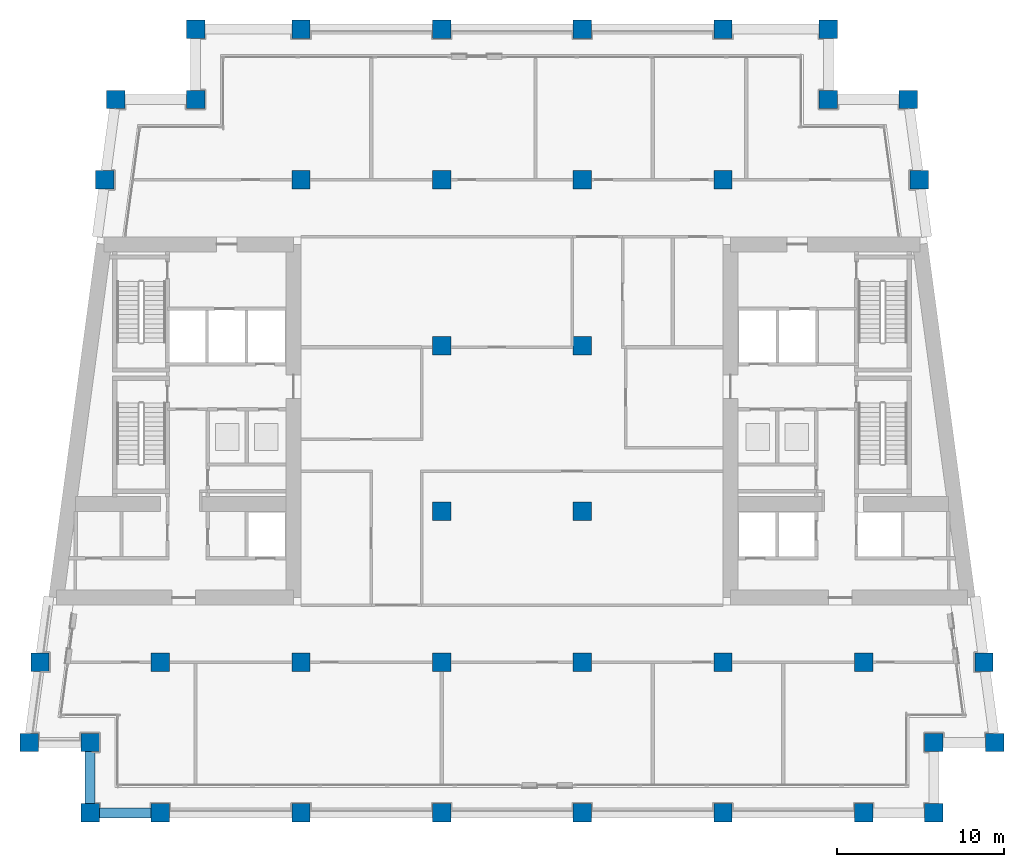
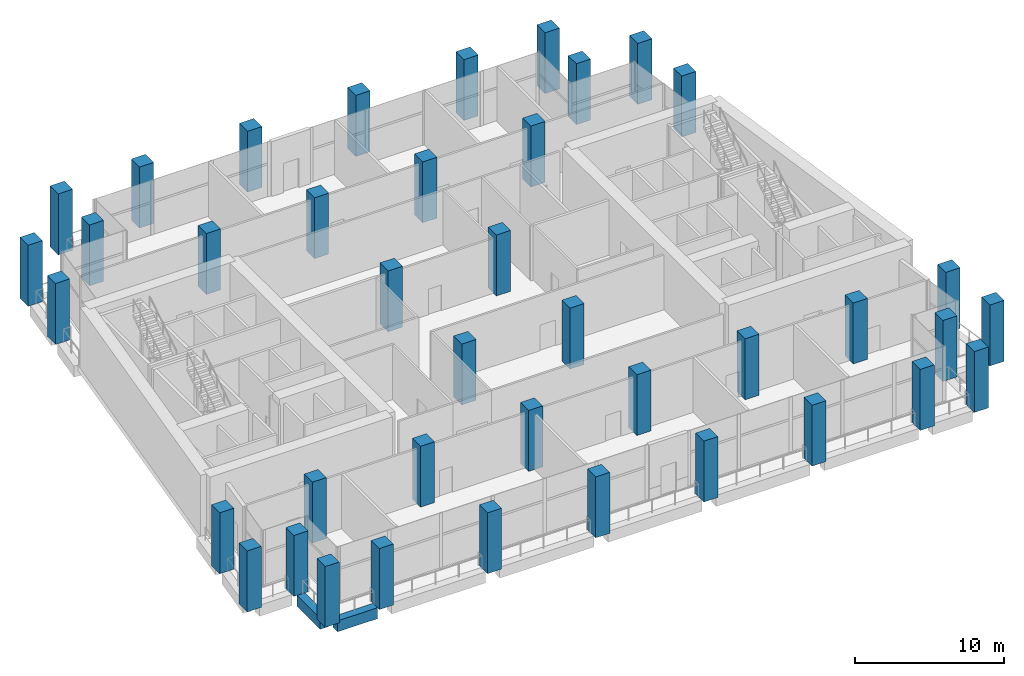
# One storey, part 1 of 16: 40 columns, 2 beams.
"""IFC4 building model written with IfcOpenShell, lengths in metres."""

from ifc_helpers import new_model, si_unit, direction, frame, origin, origin_2d, place, context, subcontext, project, spatial, rectangle, extrude, material, material_profile, profile_set, type_object, element, save


model = new_model("IFC4")

# Units and contexts
model_context = context("Model", 3, precision=1e-05, world=origin(), true_north=direction((0.0, 1.0)))
body_context = subcontext(model_context, "Body", "Model", "MODEL_VIEW")
ifc_project = project(units=[si_unit("LENGTHUNIT", "METRE"), si_unit("AREAUNIT", "SQUARE_METRE"), si_unit("VOLUMEUNIT", "CUBIC_METRE"), si_unit("PLANEANGLEUNIT", "RADIAN"), si_unit("MASSUNIT", "GRAM", prefix="KILO")], contexts=[model_context])

# Site, building, storey
site_placement = place(None, origin())
site = spatial("IfcSite", under=ifc_project, at=site_placement, CompositionType="ELEMENT")
building_placement = place(site_placement, origin())
building = spatial("IfcBuilding", under=site, at=building_placement, Name="Candeia Pilgrim Tower and Theatre", CompositionType="ELEMENT")
storey_placement = place(building_placement, frame((0.0, 0.0, 192.199951171875)))
storey = spatial("IfcBuildingStorey", under=building, at=storey_placement, Name="L46", CompositionType="ELEMENT", Elevation=192.199951171875)

# Columns
ifc_material = material(Name="Concrete C60/75", Category="concrete")
ifc_material_profile_1 = material_profile(ifc_material, rectangle(XDim=1.10009765625, YDim=1.10009765625, at=origin_2d()))
ifc_profile_set_1 = profile_set([ifc_material_profile_1], Name="Concrete C60/75")
column_type = type_object("IfcColumnType", Name="RC 1100x1100 C60/75", PredefinedType="COLUMN", material=ifc_profile_set_1)
for number, where, z_axis, x_axis, name in (
    (1, (92.39990234375, 98.0, 0.0), (0.0, 0.0, 1.0), (1.0, 0.0, 0.0), "Column A1"),
    (2, (100.800048828125, 98.0, 0.0), (0.0, 0.0, 1.0), (1.0, 0.0, 0.0), "Column A2"),
    (3, (109.199951171875, 98.0, 0.0), (0.0, 0.0, 1.0), (1.0, 0.0, 0.0), "Column A3"),
    (4, (117.60009765625, 98.0, 0.0), (0.0, 0.0, 1.0), (1.0, 0.0, 0.0), "Column A4"),
    (5, (126.0, 98.0, 0.0), (0.0, 0.0, 1.0), (1.0, 0.0, 0.0), "Column A5"),
    (6, (134.39990234375, 98.0, 0.0), (0.0, 0.0, 1.0), (1.0, 0.0, 0.0), "Column A6"),
    (7, (88.199951171875, 98.0, 0.0), (0.0, 0.0, 1.0), (1.0, 0.0, 0.0), "Column AW"),
    (8, (138.60009765625, 98.0, 0.0), (0.0, 0.0, 1.0), (1.0, 0.0, 0.0), "Column AE"),
    (9, (88.199951171875, 102.199951171875, 0.0), (0.0, 0.0, 1.0), (1.0, 0.0, 0.0), "Column NSW"),
    (10, (138.60009765625, 102.199951171875, 0.0), (0.0, 0.0, 1.0), (1.0, 0.0, 0.0), "Column NSE"),
    (11, (94.5, 140.60009765625, 0.0), (0.0, 0.0, 1.0), (1.0, 0.0, 0.0), "Column NNW"),
    (12, (132.300048828125, 140.60009765625, 0.0), (0.0, 0.0, 1.0), (1.0, 0.0, 0.0), "Column NNE"),
    (13, (84.5654296875, 102.199951171875, 0.0), (0.0, 0.0, 1.0), (1.0, 0.0, 0.0), "Column LSW"),
    (14, (142.234619140625, 102.199951171875, 0.0), (0.0, 0.0, 1.0), (1.0, 0.0, 0.0), "Column LSE"),
    (15, (89.734619140625, 140.60009765625, 0.0), (0.0, 0.0, 1.0), (1.0, 0.0, 0.0), "Column LNW"),
    (16, (137.0654296875, 140.60009765625, 0.0), (0.0, 0.0, 1.0), (1.0, 0.0, 0.0), "Column LNE"),
    (17, (92.39990234375, 107.0, 0.0), (0.0, 0.0, 1.0), (1.0, 0.0, 0.0), "Column B1"),
    (18, (100.800048828125, 107.0, 0.0), (0.0, 0.0, 1.0), (1.0, 0.0, 0.0), "Column B2"),
    (19, (109.199951171875, 107.0, 0.0), (0.0, 0.0, 1.0), (1.0, 0.0, 0.0), "Column B3"),
    (20, (117.60009765625, 107.0, 0.0), (0.0, 0.0, 1.0), (1.0, 0.0, 0.0), "Column B4"),
    (21, (126.0, 107.0, 0.0), (0.0, 0.0, 1.0), (1.0, 0.0, 0.0), "Column B5"),
    (22, (134.39990234375, 107.0, 0.0), (0.0, 0.0, 1.0), (1.0, 0.0, 0.0), "Column B6"),
    (23, (85.21142578125, 107.0, 0.0), (0.0, 0.0, 1.0), (1.0, 0.0, 0.0), "Column BW"),
    (24, (141.58837890625, 107.0, 0.0), (0.0, 0.0, 1.0), (1.0, 0.0, 0.0), "Column BE"),
    (25, (109.199951171875, 116.0, 0.0), (0.0, 0.0, 1.0), (1.0, 0.0, 0.0), "Column C3"),
    (26, (117.60009765625, 116.0, 0.0), (0.0, 0.0, 1.0), (1.0, 0.0, 0.0), "Column C4"),
    (27, (109.199951171875, 125.89990234375, 0.0), (0.0, 0.0, 1.0), (1.0, 0.0, 0.0), "Column D3"),
    (28, (117.60009765625, 125.89990234375, 0.0), (0.0, 0.0, 1.0), (1.0, 0.0, 0.0), "Column D4"),
    (29, (100.800048828125, 135.800048828125, 0.0), (0.0, 0.0, 1.0), (1.0, 0.0, 0.0), "Column E2"),
    (30, (109.199951171875, 135.800048828125, 0.0), (0.0, 0.0, 1.0), (1.0, 0.0, 0.0), "Column E3"),
    (31, (117.60009765625, 135.800048828125, 0.0), (0.0, 0.0, 1.0), (1.0, 0.0, 0.0), "Column E4"),
    (32, (126.0, 135.800048828125, 0.0), (0.0, 0.0, 1.0), (1.0, 0.0, 0.0), "Column E5"),
    (33, (89.08837890625, 135.800048828125, 0.0), (0.0, 0.0, 1.0), (1.0, 0.0, 0.0), "Column EW"),
    (34, (137.71142578125, 135.800048828125, 0.0), (0.0, 0.0, 1.0), (1.0, 0.0, 0.0), "Column EE"),
    (35, (100.800048828125, 144.800048828125, 0.0), (0.0, 0.0, 1.0), (1.0, 0.0, 0.0), "Column F2"),
    (36, (109.199951171875, 144.800048828125, 0.0), (0.0, 0.0, 1.0), (1.0, 0.0, 0.0), "Column F3"),
    (37, (117.60009765625, 144.800048828125, 0.0), (0.0, 0.0, 1.0), (1.0, 0.0, 0.0), "Column F4"),
    (38, (126.0, 144.800048828125, 0.0), (0.0, 0.0, 1.0), (1.0, 0.0, 0.0), "Column F5"),
    (39, (94.5, 144.800048828125, 0.0), (0.0, 0.0, 1.0), (1.0, 0.0, 0.0), "Column FW"),
    (40, (132.300048828125, 144.800048828125, 0.0), (0.0, 0.0, 1.0), (1.0, 0.0, 0.0), "Column FE"),
):
    element("IfcColumn", number, at=place(storey_placement, frame(where, z_axis=z_axis, x_axis=x_axis)), inside=storey, type_object=column_type, Name=name, PredefinedType="COLUMN", context=body_context, shape_type="SweptSolid", body=[
        extrude(rectangle(XDim=1.10009765625, YDim=1.10009765625, at=origin_2d()), origin(), (0.0, 0.0, 1.0), 5.0),
    ])

# Beams
ifc_material_profile_2 = material_profile(ifc_material, rectangle(XDim=0.60009765625, YDim=0.89990234375, at=origin_2d()))
ifc_profile_set_2 = profile_set([ifc_material_profile_2], Name="Concrete C60/75")
beam_type = type_object("IfcBeamType", Name="RC 600x900 C60/75", PredefinedType="BEAM", material=ifc_profile_set_2)
beam_1_placement = place(storey_placement, frame((88.75, 98.0, -0.449951171875), z_axis=(1.0, 0.0, 0.0), x_axis=(0.0, 1.0, 0.0)))
element("IfcBeam", 41, at=beam_1_placement, inside=storey, type_object=beam_type, Name="Spandrel beam L46-01", PredefinedType="BEAM", context=body_context, shape_type="SweptSolid", body=[
    extrude(rectangle(XDim=0.60009765625, YDim=0.89990234375, at=origin_2d()), origin(), (0.0, 0.0, 1.0), 3.10009765625),
])
beam_2_placement = place(storey_placement, frame((88.199951171875, 101.64990234375, -0.449951171875), z_axis=(0.0, -1.0, 0.0), x_axis=(1.0, 0.0, 0.0)))
element("IfcBeam", 42, at=beam_2_placement, inside=storey, type_object=beam_type, Name="Spandrel beam L46-28", PredefinedType="BEAM", context=body_context, shape_type="SweptSolid", body=[
    extrude(rectangle(XDim=0.60009765625, YDim=0.89990234375, at=origin_2d()), origin(), (0.0, 0.0, 1.0), 3.099853515625),
])

save(model, "model.ifc")
